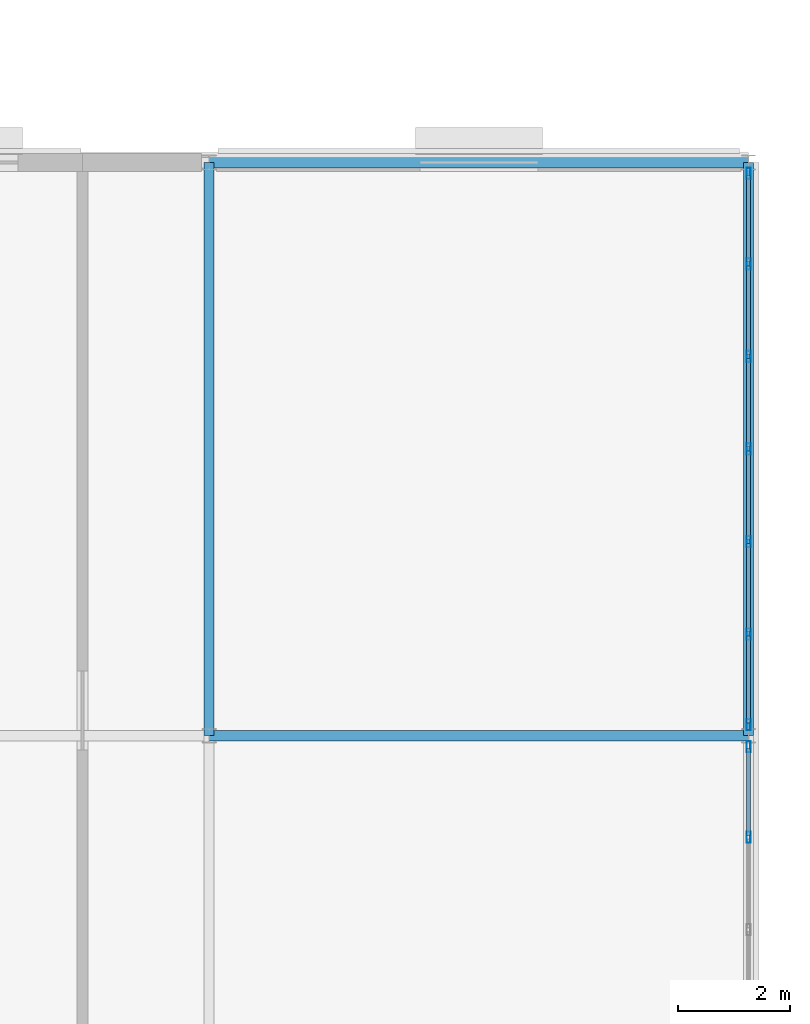
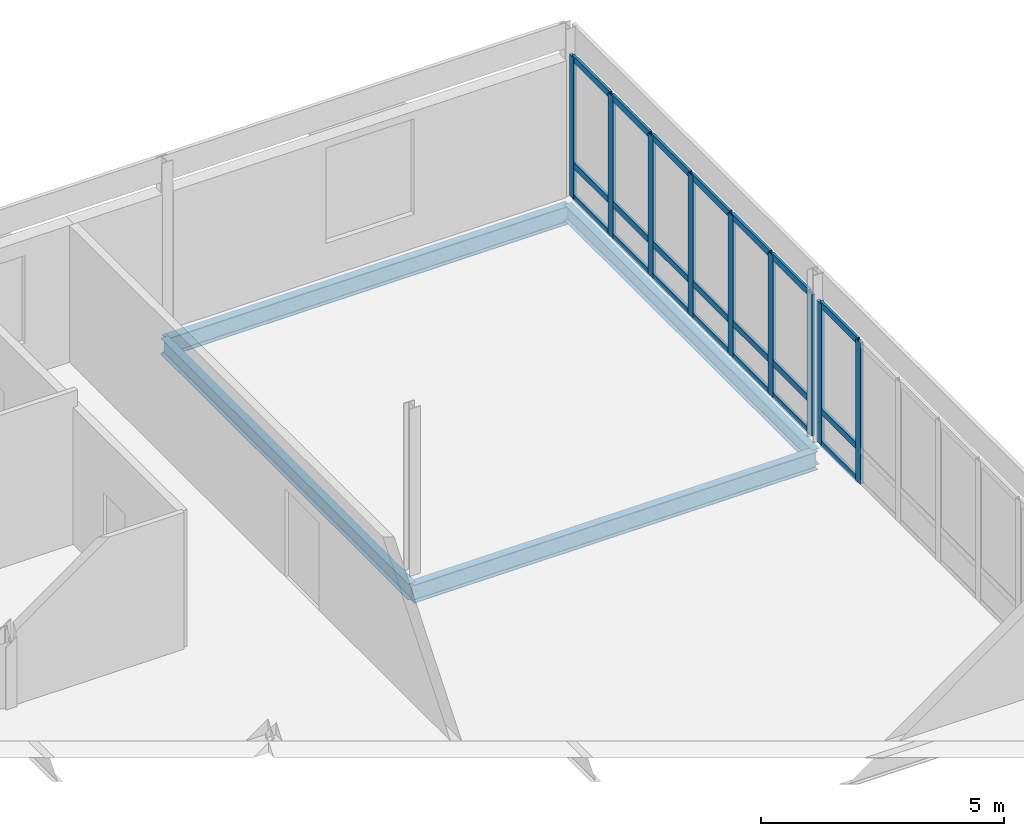
# One storey, part 119 of 170: 30 members, 4 beams, 2 elements without a shape of their own.
"""IFC4 building model written with IfcOpenShell, lengths in metres."""

from ifc_helpers import new_model, si_unit, direction, frame, origin, origin_2d, place, context, subcontext, project, spatial, hollow_rectangle, i_section, extrude, material, material_profile, profile_set, type_object, element, aggregate, save


model = new_model("IFC4")

# Units and contexts
model_context = context("Model", 3, precision=1e-05, world=origin(), true_north=direction((0.0, 1.0)))
body_context = subcontext(model_context, "Body", "Model", "MODEL_VIEW")
ifc_project = project(units=[si_unit("LENGTHUNIT", "METRE"), si_unit("AREAUNIT", "SQUARE_METRE"), si_unit("VOLUMEUNIT", "CUBIC_METRE"), si_unit("PLANEANGLEUNIT", "RADIAN"), si_unit("MASSUNIT", "GRAM", prefix="KILO")], contexts=[model_context])

# Site, building, storey
site_placement = place(None, origin())
site = spatial("IfcSite", under=ifc_project, at=site_placement, CompositionType="ELEMENT")
building_placement = place(site_placement, origin())
building = spatial("IfcBuilding", under=site, at=building_placement, Name="Vondelvale Polytechnic", CompositionType="ELEMENT")
storey_placement = place(building_placement, frame((0.0, 0.0, 5.39990234375)))
storey = spatial("IfcBuildingStorey", under=building, at=storey_placement, Name="L01", CompositionType="ELEMENT", Elevation=5.39990234375)

# Beams
ifc_material_1 = material(Name="Steel 300PLUS (fy = 300 MPa)", Category="steel")
ifc_material_profile_1 = material_profile(ifc_material_1, i_section(OverallWidth=0.177978515625, OverallDepth=0.406005859375, WebThickness=0.0078125, FlangeThickness=0.0126953125, FilletRadius=0.011474609375, at=origin_2d()), Name="410UB59.7")
ifc_profile_set_1 = profile_set([ifc_material_profile_1], Name="Steel 300PLUS (fy = 300 MPa)")
beam_type_1 = type_object("IfcBeamType", Name="BM-UB410", PredefinedType="BEAM", material=ifc_profile_set_1)
for number, where, z_axis, x_axis, name in (
    (1, (163.199951171875, 81.60009765625, -0.48291015625), (0.0, 1.0, 0.0), (-1.0, 0.0, 0.0), "L01 B B-14"),
    (2, (172.800048828125, 81.60009765625, -0.48291015625), (0.0, 1.0, 0.0), (-1.0, 0.0, 0.0), "L01 B B-14"),
):
    element("IfcBeam", number, at=place(storey_placement, frame(where, z_axis=z_axis, x_axis=x_axis)), inside=storey, type_object=beam_type_1, Name=name, PredefinedType="BEAM", context=body_context, shape_type="SweptSolid", body=[
        extrude(i_section(OverallWidth=0.177978515625, OverallDepth=0.406005859375, WebThickness=0.0078125, FlangeThickness=0.0126953125, FilletRadius=0.011474609375, at=origin_2d()), origin(), (0.0, 0.0, 1.0), 10.199951171875),
    ])
ifc_material_profile_2 = material_profile(ifc_material_1, i_section(OverallWidth=0.19091796875, OverallDepth=0.4599609375, WebThickness=0.010009765625, FlangeThickness=0.01611328125, FilletRadius=0.011474609375, at=origin_2d()), Name="460UB82.1")
ifc_profile_set_2 = profile_set([ifc_material_profile_2], Name="Steel 300PLUS (fy = 300 MPa)")
beam_type_2 = type_object("IfcBeamType", Name="BM-UB460H", PredefinedType="BEAM", material=ifc_profile_set_2)
for number, where, z_axis, x_axis, name in (
    (3, (163.199951171875, 81.60009765625, -0.510009765625), (1.0, 0.0, 0.0), (0.0, 1.0, 0.0), "L01 B B-12"),
    (4, (163.199951171875, 91.800048828125, -0.510009765625), (1.0, 0.0, 0.0), (0.0, 1.0, 0.0), "L01 B B-12"),
):
    element("IfcBeam", number, at=place(storey_placement, frame(where, z_axis=z_axis, x_axis=x_axis)), inside=storey, type_object=beam_type_2, Name=name, PredefinedType="BEAM", context=body_context, shape_type="SweptSolid", body=[
        extrude(i_section(OverallWidth=0.19091796875, OverallDepth=0.4599609375, WebThickness=0.010009765625, FlangeThickness=0.01611328125, FilletRadius=0.011474609375, at=origin_2d()), origin(), (0.0, 0.0, 1.0), 9.60009765625),
    ])

# Curtain wall, members
ifc_material_2 = material(Name="Anodised extruded aluminium 6063-T6", Category="aluminium")
curtain_wall_type = type_object("IfcCurtainWallType", Name="CW-REFECTORY", PredefinedType="NOTDEFINED", material=ifc_material_2)
curtain_wall_1_placement = place(storey_placement, origin())
curtain_wall_1 = element("IfcCurtainWall", 5, at=curtain_wall_1_placement, inside=storey, type_object=curtain_wall_type, Name="L01 architectural curtain wall CW-05-391", PredefinedType="NOTDEFINED")
ifc_material_profile_3 = material_profile(ifc_material_2, hollow_rectangle(XDim=0.070068359375, YDim=0.199951171875, WallThickness=0.00390625, at=origin_2d()), Name="CW-MUL-200x70")
ifc_profile_set_3 = profile_set([ifc_material_profile_3], Name="Anodised extruded aluminium 6063-T6")
member_type_1 = type_object("IfcMemberType", Name="CW-MUL-70x200", PredefinedType="MULLION", material=ifc_profile_set_3)
member_1_placement = place(storey_placement, frame((172.800048828125, 79.793212890625, 0.0), z_axis=(0.0, 0.0, 1.0), x_axis=(-1.0, 0.0, 0.0)))
member_1 = element("IfcMember", 6, at=member_1_placement, type_object=member_type_1, Name="CW-05-391 mullion 6", PredefinedType="MULLION", context=body_context, shape_type="SweptSolid", body=[
    extrude(hollow_rectangle(XDim=0.070068359375, YDim=0.199951171875, WallThickness=0.00390625, at=origin_2d()), origin(), (0.0, 0.0, 1.0), 3.550048828125),
])
member_2_placement = place(storey_placement, frame((172.800048828125, 81.405029296875, 0.0), z_axis=(0.0, 0.0, 1.0), x_axis=(-1.0, 0.0, 0.0)))
member_2 = element("IfcMember", 7, at=member_2_placement, type_object=member_type_1, Name="CW-05-391 mullion 7", PredefinedType="MULLION", context=body_context, shape_type="SweptSolid", body=[
    extrude(hollow_rectangle(XDim=0.070068359375, YDim=0.199951171875, WallThickness=0.00390625, at=origin_2d()), origin(), (0.0, 0.0, 1.0), 3.550048828125),
])

curtain_wall_2_placement = place(storey_placement, origin())
curtain_wall_2 = element("IfcCurtainWall", 8, at=curtain_wall_2_placement, inside=storey, type_object=curtain_wall_type, Name="L01 architectural curtain wall CW-05-392", PredefinedType="NOTDEFINED")
member_3_placement = place(storey_placement, frame((172.800048828125, 81.794921875, 0.0), z_axis=(0.0, 0.0, 1.0), x_axis=(-1.0, 0.0, 0.0)))
member_3 = element("IfcMember", 9, at=member_3_placement, type_object=member_type_1, Name="CW-05-392 mullion 1", PredefinedType="MULLION", context=body_context, shape_type="SweptSolid", body=[
    extrude(hollow_rectangle(XDim=0.070068359375, YDim=0.199951171875, WallThickness=0.00390625, at=origin_2d()), origin(), (0.0, 0.0, 1.0), 3.550048828125),
])
member_4_placement = place(storey_placement, frame((172.800048828125, 83.40673828125, 0.0), z_axis=(0.0, 0.0, 1.0), x_axis=(-1.0, 0.0, 0.0)))
member_4 = element("IfcMember", 10, at=member_4_placement, type_object=member_type_1, Name="CW-05-392 mullion 2", PredefinedType="MULLION", context=body_context, shape_type="SweptSolid", body=[
    extrude(hollow_rectangle(XDim=0.070068359375, YDim=0.199951171875, WallThickness=0.00390625, at=origin_2d()), origin(), (0.0, 0.0, 1.0), 3.550048828125),
])
member_5_placement = place(storey_placement, frame((172.800048828125, 85.05322265625, 0.0), z_axis=(0.0, 0.0, 1.0), x_axis=(-1.0, 0.0, 0.0)))
member_5 = element("IfcMember", 11, at=member_5_placement, type_object=member_type_1, Name="CW-05-392 mullion 3", PredefinedType="MULLION", context=body_context, shape_type="SweptSolid", body=[
    extrude(hollow_rectangle(XDim=0.070068359375, YDim=0.199951171875, WallThickness=0.00390625, at=origin_2d()), origin(), (0.0, 0.0, 1.0), 3.550048828125),
])
member_6_placement = place(storey_placement, frame((172.800048828125, 86.699951171875, 0.0), z_axis=(0.0, 0.0, 1.0), x_axis=(-1.0, 0.0, 0.0)))
member_6 = element("IfcMember", 12, at=member_6_placement, type_object=member_type_1, Name="CW-05-392 mullion 4", PredefinedType="MULLION", context=body_context, shape_type="SweptSolid", body=[
    extrude(hollow_rectangle(XDim=0.070068359375, YDim=0.199951171875, WallThickness=0.00390625, at=origin_2d()), origin(), (0.0, 0.0, 1.0), 3.550048828125),
])
member_7_placement = place(storey_placement, frame((172.800048828125, 88.3466796875, 0.0), z_axis=(0.0, 0.0, 1.0), x_axis=(-1.0, 0.0, 0.0)))
member_7 = element("IfcMember", 13, at=member_7_placement, type_object=member_type_1, Name="CW-05-392 mullion 5", PredefinedType="MULLION", context=body_context, shape_type="SweptSolid", body=[
    extrude(hollow_rectangle(XDim=0.070068359375, YDim=0.199951171875, WallThickness=0.00390625, at=origin_2d()), origin(), (0.0, 0.0, 1.0), 3.550048828125),
])
member_8_placement = place(storey_placement, frame((172.800048828125, 89.993408203125, 0.0), z_axis=(0.0, 0.0, 1.0), x_axis=(-1.0, 0.0, 0.0)))
member_8 = element("IfcMember", 14, at=member_8_placement, type_object=member_type_1, Name="CW-05-392 mullion 6", PredefinedType="MULLION", context=body_context, shape_type="SweptSolid", body=[
    extrude(hollow_rectangle(XDim=0.070068359375, YDim=0.199951171875, WallThickness=0.00390625, at=origin_2d()), origin(), (0.0, 0.0, 1.0), 3.550048828125),
])
member_9_placement = place(storey_placement, frame((172.800048828125, 91.60498046875, 0.0), z_axis=(0.0, 0.0, 1.0), x_axis=(-1.0, 0.0, 0.0)))
member_9 = element("IfcMember", 15, at=member_9_placement, type_object=member_type_1, Name="CW-05-392 mullion 7", PredefinedType="MULLION", context=body_context, shape_type="SweptSolid", body=[
    extrude(hollow_rectangle(XDim=0.070068359375, YDim=0.199951171875, WallThickness=0.00390625, at=origin_2d()), origin(), (0.0, 0.0, 1.0), 3.550048828125),
])

# Member
ifc_material_profile_4 = material_profile(ifc_material_2, hollow_rectangle(XDim=0.06494140625, YDim=0.159912109375, WallThickness=0.00341796875, at=origin_2d()), Name="CW-TRN-160x65")
ifc_profile_set_4 = profile_set([ifc_material_profile_4], Name="Anodised extruded aluminium 6063-T6")
member_type_2 = type_object("IfcMemberType", Name="CW-TRN-70x160", PredefinedType="USERDEFINED", material=ifc_profile_set_4)
member_10_placement = place(storey_placement, frame((172.800048828125, 79.828369140625, 0.03271484375), z_axis=(0.0, 1.0, 0.0), x_axis=(-1.0, 0.0, 0.0)))
member_10 = element("IfcMember", 16, at=member_10_placement, type_object=member_type_2, Name="CW-05-391 transom 6.1", ObjectType="TRANSOM", PredefinedType="USERDEFINED", context=body_context, shape_type="SweptSolid", body=[
    extrude(hollow_rectangle(XDim=0.06494140625, YDim=0.159912109375, WallThickness=0.00341796875, at=origin_2d()), origin(), (0.0, 0.0, 1.0), 1.541748046875),
])

member_11_placement = place(storey_placement, frame((172.800048828125, 79.828369140625, 0.85009765625), z_axis=(0.0, 1.0, 0.0), x_axis=(-1.0, 0.0, 0.0)))
member_11 = element("IfcMember", 17, at=member_11_placement, type_object=member_type_2, Name="CW-05-391 transom 6.2", ObjectType="TRANSOM", PredefinedType="USERDEFINED", context=body_context, shape_type="SweptSolid", body=[
    extrude(hollow_rectangle(XDim=0.06494140625, YDim=0.159912109375, WallThickness=0.00341796875, at=origin_2d()), origin(), (0.0, 0.0, 1.0), 1.541748046875),
])

member_12_placement = place(storey_placement, frame((172.800048828125, 79.828369140625, 3.517578125), z_axis=(0.0, 1.0, 0.0), x_axis=(-1.0, 0.0, 0.0)))
member_12 = element("IfcMember", 18, at=member_12_placement, type_object=member_type_2, Name="CW-05-391 transom 6.3", ObjectType="TRANSOM", PredefinedType="USERDEFINED", context=body_context, shape_type="SweptSolid", body=[
    extrude(hollow_rectangle(XDim=0.06494140625, YDim=0.159912109375, WallThickness=0.00341796875, at=origin_2d()), origin(), (0.0, 0.0, 1.0), 1.541748046875),
])

aggregate(curtain_wall_1, [member_1, member_2, member_10, member_11, member_12])

member_13_placement = place(storey_placement, frame((172.800048828125, 81.830078125, 0.03271484375), z_axis=(0.0, 1.0, 0.0), x_axis=(-1.0, 0.0, 0.0)))
member_13 = element("IfcMember", 19, at=member_13_placement, type_object=member_type_2, Name="CW-05-392 transom 1.1", ObjectType="TRANSOM", PredefinedType="USERDEFINED", context=body_context, shape_type="SweptSolid", body=[
    extrude(hollow_rectangle(XDim=0.06494140625, YDim=0.159912109375, WallThickness=0.00341796875, at=origin_2d()), origin(), (0.0, 0.0, 1.0), 1.54150390625),
])

member_14_placement = place(storey_placement, frame((172.800048828125, 81.830078125, 0.85009765625), z_axis=(0.0, 1.0, 0.0), x_axis=(-1.0, 0.0, 0.0)))
member_14 = element("IfcMember", 20, at=member_14_placement, type_object=member_type_2, Name="CW-05-392 transom 1.2", ObjectType="TRANSOM", PredefinedType="USERDEFINED", context=body_context, shape_type="SweptSolid", body=[
    extrude(hollow_rectangle(XDim=0.06494140625, YDim=0.159912109375, WallThickness=0.00341796875, at=origin_2d()), origin(), (0.0, 0.0, 1.0), 1.54150390625),
])

member_15_placement = place(storey_placement, frame((172.800048828125, 81.830078125, 3.517578125), z_axis=(0.0, 1.0, 0.0), x_axis=(-1.0, 0.0, 0.0)))
member_15 = element("IfcMember", 21, at=member_15_placement, type_object=member_type_2, Name="CW-05-392 transom 1.3", ObjectType="TRANSOM", PredefinedType="USERDEFINED", context=body_context, shape_type="SweptSolid", body=[
    extrude(hollow_rectangle(XDim=0.06494140625, YDim=0.159912109375, WallThickness=0.00341796875, at=origin_2d()), origin(), (0.0, 0.0, 1.0), 1.54150390625),
])

member_16_placement = place(storey_placement, frame((172.800048828125, 83.441650390625, 0.03271484375), z_axis=(0.0, 1.0, 0.0), x_axis=(-1.0, 0.0, 0.0)))
member_16 = element("IfcMember", 22, at=member_16_placement, type_object=member_type_2, Name="CW-05-392 transom 2.1", ObjectType="TRANSOM", PredefinedType="USERDEFINED", context=body_context, shape_type="SweptSolid", body=[
    extrude(hollow_rectangle(XDim=0.06494140625, YDim=0.159912109375, WallThickness=0.00341796875, at=origin_2d()), origin(), (0.0, 0.0, 1.0), 1.57666015625),
])

member_17_placement = place(storey_placement, frame((172.800048828125, 83.441650390625, 0.85009765625), z_axis=(0.0, 1.0, 0.0), x_axis=(-1.0, 0.0, 0.0)))
member_17 = element("IfcMember", 23, at=member_17_placement, type_object=member_type_2, Name="CW-05-392 transom 2.2", ObjectType="TRANSOM", PredefinedType="USERDEFINED", context=body_context, shape_type="SweptSolid", body=[
    extrude(hollow_rectangle(XDim=0.06494140625, YDim=0.159912109375, WallThickness=0.00341796875, at=origin_2d()), origin(), (0.0, 0.0, 1.0), 1.57666015625),
])

member_18_placement = place(storey_placement, frame((172.800048828125, 83.441650390625, 3.517578125), z_axis=(0.0, 1.0, 0.0), x_axis=(-1.0, 0.0, 0.0)))
member_18 = element("IfcMember", 24, at=member_18_placement, type_object=member_type_2, Name="CW-05-392 transom 2.3", ObjectType="TRANSOM", PredefinedType="USERDEFINED", context=body_context, shape_type="SweptSolid", body=[
    extrude(hollow_rectangle(XDim=0.06494140625, YDim=0.159912109375, WallThickness=0.00341796875, at=origin_2d()), origin(), (0.0, 0.0, 1.0), 1.57666015625),
])

member_19_placement = place(storey_placement, frame((172.800048828125, 85.08837890625, 0.03271484375), z_axis=(0.0, 1.0, 0.0), x_axis=(-1.0, 0.0, 0.0)))
member_19 = element("IfcMember", 25, at=member_19_placement, type_object=member_type_2, Name="CW-05-392 transom 3.1", ObjectType="TRANSOM", PredefinedType="USERDEFINED", context=body_context, shape_type="SweptSolid", body=[
    extrude(hollow_rectangle(XDim=0.06494140625, YDim=0.159912109375, WallThickness=0.00341796875, at=origin_2d()), origin(), (0.0, 0.0, 1.0), 1.57666015625),
])

member_20_placement = place(storey_placement, frame((172.800048828125, 85.08837890625, 0.85009765625), z_axis=(0.0, 1.0, 0.0), x_axis=(-1.0, 0.0, 0.0)))
member_20 = element("IfcMember", 26, at=member_20_placement, type_object=member_type_2, Name="CW-05-392 transom 3.2", ObjectType="TRANSOM", PredefinedType="USERDEFINED", context=body_context, shape_type="SweptSolid", body=[
    extrude(hollow_rectangle(XDim=0.06494140625, YDim=0.159912109375, WallThickness=0.00341796875, at=origin_2d()), origin(), (0.0, 0.0, 1.0), 1.57666015625),
])

member_21_placement = place(storey_placement, frame((172.800048828125, 85.08837890625, 3.517578125), z_axis=(0.0, 1.0, 0.0), x_axis=(-1.0, 0.0, 0.0)))
member_21 = element("IfcMember", 27, at=member_21_placement, type_object=member_type_2, Name="CW-05-392 transom 3.3", ObjectType="TRANSOM", PredefinedType="USERDEFINED", context=body_context, shape_type="SweptSolid", body=[
    extrude(hollow_rectangle(XDim=0.06494140625, YDim=0.159912109375, WallThickness=0.00341796875, at=origin_2d()), origin(), (0.0, 0.0, 1.0), 1.57666015625),
])

member_22_placement = place(storey_placement, frame((172.800048828125, 86.735107421875, 0.03271484375), z_axis=(0.0, 1.0, 0.0), x_axis=(-1.0, 0.0, 0.0)))
member_22 = element("IfcMember", 28, at=member_22_placement, type_object=member_type_2, Name="CW-05-392 transom 4.1", ObjectType="TRANSOM", PredefinedType="USERDEFINED", context=body_context, shape_type="SweptSolid", body=[
    extrude(hollow_rectangle(XDim=0.06494140625, YDim=0.159912109375, WallThickness=0.00341796875, at=origin_2d()), origin(), (0.0, 0.0, 1.0), 1.57666015625),
])

member_23_placement = place(storey_placement, frame((172.800048828125, 86.735107421875, 0.85009765625), z_axis=(0.0, 1.0, 0.0), x_axis=(-1.0, 0.0, 0.0)))
member_23 = element("IfcMember", 29, at=member_23_placement, type_object=member_type_2, Name="CW-05-392 transom 4.2", ObjectType="TRANSOM", PredefinedType="USERDEFINED", context=body_context, shape_type="SweptSolid", body=[
    extrude(hollow_rectangle(XDim=0.06494140625, YDim=0.159912109375, WallThickness=0.00341796875, at=origin_2d()), origin(), (0.0, 0.0, 1.0), 1.57666015625),
])

member_24_placement = place(storey_placement, frame((172.800048828125, 86.735107421875, 3.517578125), z_axis=(0.0, 1.0, 0.0), x_axis=(-1.0, 0.0, 0.0)))
member_24 = element("IfcMember", 30, at=member_24_placement, type_object=member_type_2, Name="CW-05-392 transom 4.3", ObjectType="TRANSOM", PredefinedType="USERDEFINED", context=body_context, shape_type="SweptSolid", body=[
    extrude(hollow_rectangle(XDim=0.06494140625, YDim=0.159912109375, WallThickness=0.00341796875, at=origin_2d()), origin(), (0.0, 0.0, 1.0), 1.57666015625),
])

member_25_placement = place(storey_placement, frame((172.800048828125, 88.381591796875, 0.03271484375), z_axis=(0.0, 1.0, 0.0), x_axis=(-1.0, 0.0, 0.0)))
member_25 = element("IfcMember", 31, at=member_25_placement, type_object=member_type_2, Name="CW-05-392 transom 5.1", ObjectType="TRANSOM", PredefinedType="USERDEFINED", context=body_context, shape_type="SweptSolid", body=[
    extrude(hollow_rectangle(XDim=0.06494140625, YDim=0.159912109375, WallThickness=0.00341796875, at=origin_2d()), origin(), (0.0, 0.0, 1.0), 1.57666015625),
])

member_26_placement = place(storey_placement, frame((172.800048828125, 88.381591796875, 0.85009765625), z_axis=(0.0, 1.0, 0.0), x_axis=(-1.0, 0.0, 0.0)))
member_26 = element("IfcMember", 32, at=member_26_placement, type_object=member_type_2, Name="CW-05-392 transom 5.2", ObjectType="TRANSOM", PredefinedType="USERDEFINED", context=body_context, shape_type="SweptSolid", body=[
    extrude(hollow_rectangle(XDim=0.06494140625, YDim=0.159912109375, WallThickness=0.00341796875, at=origin_2d()), origin(), (0.0, 0.0, 1.0), 1.57666015625),
])

member_27_placement = place(storey_placement, frame((172.800048828125, 88.381591796875, 3.517578125), z_axis=(0.0, 1.0, 0.0), x_axis=(-1.0, 0.0, 0.0)))
member_27 = element("IfcMember", 33, at=member_27_placement, type_object=member_type_2, Name="CW-05-392 transom 5.3", ObjectType="TRANSOM", PredefinedType="USERDEFINED", context=body_context, shape_type="SweptSolid", body=[
    extrude(hollow_rectangle(XDim=0.06494140625, YDim=0.159912109375, WallThickness=0.00341796875, at=origin_2d()), origin(), (0.0, 0.0, 1.0), 1.57666015625),
])

member_28_placement = place(storey_placement, frame((172.800048828125, 90.0283203125, 0.03271484375), z_axis=(0.0, 1.0, 0.0), x_axis=(-1.0, 0.0, 0.0)))
member_28 = element("IfcMember", 34, at=member_28_placement, type_object=member_type_2, Name="CW-05-392 transom 6.1", ObjectType="TRANSOM", PredefinedType="USERDEFINED", context=body_context, shape_type="SweptSolid", body=[
    extrude(hollow_rectangle(XDim=0.06494140625, YDim=0.159912109375, WallThickness=0.00341796875, at=origin_2d()), origin(), (0.0, 0.0, 1.0), 1.541748046875),
])

member_29_placement = place(storey_placement, frame((172.800048828125, 90.0283203125, 0.85009765625), z_axis=(0.0, 1.0, 0.0), x_axis=(-1.0, 0.0, 0.0)))
member_29 = element("IfcMember", 35, at=member_29_placement, type_object=member_type_2, Name="CW-05-392 transom 6.2", ObjectType="TRANSOM", PredefinedType="USERDEFINED", context=body_context, shape_type="SweptSolid", body=[
    extrude(hollow_rectangle(XDim=0.06494140625, YDim=0.159912109375, WallThickness=0.00341796875, at=origin_2d()), origin(), (0.0, 0.0, 1.0), 1.541748046875),
])

member_30_placement = place(storey_placement, frame((172.800048828125, 90.0283203125, 3.517578125), z_axis=(0.0, 1.0, 0.0), x_axis=(-1.0, 0.0, 0.0)))
member_30 = element("IfcMember", 36, at=member_30_placement, type_object=member_type_2, Name="CW-05-392 transom 6.3", ObjectType="TRANSOM", PredefinedType="USERDEFINED", context=body_context, shape_type="SweptSolid", body=[
    extrude(hollow_rectangle(XDim=0.06494140625, YDim=0.159912109375, WallThickness=0.00341796875, at=origin_2d()), origin(), (0.0, 0.0, 1.0), 1.541748046875),
])

aggregate(curtain_wall_2, [member_3, member_4, member_5, member_6, member_7, member_8, member_9, member_13, member_14, member_15, member_16, member_17, member_18, member_19, member_20, member_21, member_22, member_23, member_24, member_25, member_26, member_27, member_28, member_29, member_30])

save(model, "model.ifc")
